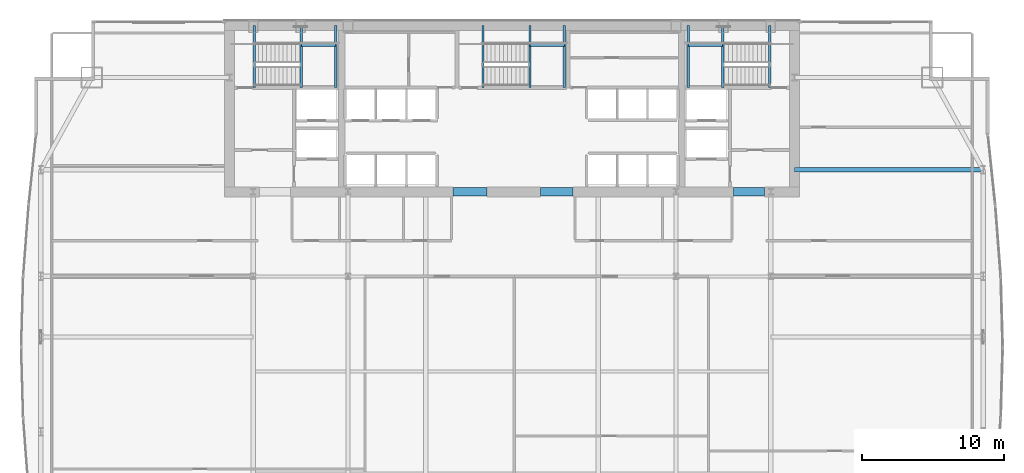
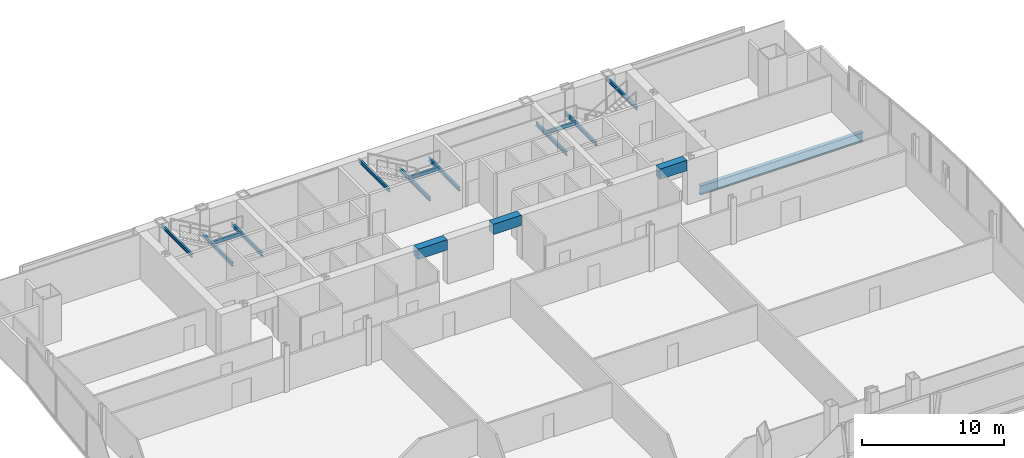
# One storey, part 19 of 30: 16 beams.
"""IFC4 building model written with IfcOpenShell, lengths in metres."""

from ifc_helpers import new_model, si_unit, direction, frame, origin, origin_2d, place, context, subcontext, project, spatial, rectangle, i_section, extrude, material, material_profile, profile_set, type_object, element, save


model = new_model("IFC4")

# Units and contexts
model_context = context("Model", 3, precision=1e-05, world=origin(), true_north=direction((0.0, 1.0)))
body_context = subcontext(model_context, "Body", "Model", "MODEL_VIEW")
ifc_project = project(units=[si_unit("LENGTHUNIT", "METRE"), si_unit("AREAUNIT", "SQUARE_METRE"), si_unit("VOLUMEUNIT", "CUBIC_METRE"), si_unit("PLANEANGLEUNIT", "RADIAN"), si_unit("MASSUNIT", "GRAM", prefix="KILO")], contexts=[model_context])

# Site, building, storey
site_placement = place(None, origin())
site = spatial("IfcSite", under=ifc_project, at=site_placement, CompositionType="ELEMENT")
building_placement = place(site_placement, origin())
building = spatial("IfcBuilding", under=site, at=building_placement, Name="Khoronbel Lancet Exchange", CompositionType="ELEMENT")
storey_placement = place(building_placement, frame((0.0, 0.0, 90.60009765625)))
storey = spatial("IfcBuildingStorey", under=building, at=storey_placement, Name="L21", CompositionType="ELEMENT", Elevation=90.60009765625)

# Beams
ifc_material_1 = material(Name="Steel S355", Category="steel")
ifc_material_profile_1 = material_profile(ifc_material_1, i_section(OverallWidth=0.300048828125, OverallDepth=0.800048828125, WebThickness=0.017578125, FlangeThickness=0.032958984375, at=origin_2d()), Name="HEB 800")
ifc_profile_set_1 = profile_set([ifc_material_profile_1], Name="Steel S355")
beam_type_1 = type_object("IfcBeamType", Name="BM-BG2", PredefinedType="BEAM", material=ifc_profile_set_1)
beam_1_placement = place(storey_placement, frame((56.35009765625, 43.199951171875, -0.580078125), z_axis=(1.0, 0.0, 0.0), x_axis=(0.0, 1.0, 0.0)))
element("IfcBeam", 1, at=beam_1_placement, inside=storey, type_object=beam_type_1, Name="Level L21 east lens tie girder LG3E", PredefinedType="BEAM", context=body_context, shape_type="SweptSolid", body=[
    extrude(i_section(OverallWidth=0.300048828125, OverallDepth=0.800048828125, WebThickness=0.017578125, FlangeThickness=0.032958984375, at=origin_2d()), origin(), (0.0, 0.0, 1.0), 13.27978515625),
])
ifc_material_profile_2 = material_profile(ifc_material_1, i_section(OverallWidth=0.159912109375, OverallDepth=0.330078125, WebThickness=0.007568359375, FlangeThickness=0.011474609375, at=origin_2d()), Name="IPE 330")
ifc_profile_set_2 = profile_set([ifc_material_profile_2], Name="Steel S355")
beam_type_2 = type_object("IfcBeamType", Name="BM-BJ7", PredefinedType="JOIST", material=ifc_profile_set_2)
for number, where, z_axis, x_axis, name in (
    (2, (21.610107421875, 48.97998046875, 1.635009765625), (0.0, 1.0, 0.0), (-1.0, 0.0, 0.0), "Level L21 stair ST1 landing bearer beam 1"),
    (3, (24.030029296875, 48.97998046875, 1.635009765625), (0.0, 1.0, 0.0), (-1.0, 0.0, 0.0), "Level L21 stair ST1 rear landing bearer beam 1"),
):
    element("IfcBeam", number, at=place(storey_placement, frame(where, z_axis=z_axis, x_axis=x_axis)), inside=storey, type_object=beam_type_2, Name=name, PredefinedType="JOIST", context=body_context, shape_type="SweptSolid", body=[
        extrude(i_section(OverallWidth=0.159912109375, OverallDepth=0.330078125, WebThickness=0.007568359375, FlangeThickness=0.011474609375, at=origin_2d()), origin(), (0.0, 0.0, 1.0), 4.3701171875),
    ])
beam_2_placement = place(storey_placement, frame((21.610107421875, 51.97998046875, 1.635009765625), z_axis=(1.0, 0.0, 0.0), x_axis=(0.0, 1.0, 0.0)))
element("IfcBeam", 4, at=beam_2_placement, inside=storey, type_object=beam_type_2, Name="Level L21 stair ST1 landing cross trimmer beam 1", PredefinedType="JOIST", context=body_context, shape_type="SweptSolid", body=[
    extrude(i_section(OverallWidth=0.159912109375, OverallDepth=0.330078125, WebThickness=0.007568359375, FlangeThickness=0.011474609375, at=origin_2d()), origin(), (0.0, 0.0, 1.0), 2.419921875),
])
for number, where, z_axis, x_axis, name in (
    (5, (51.2900390625, 48.97998046875, 1.635009765625), (0.0, 1.0, 0.0), (-1.0, 0.0, 0.0), "Level L21 stair ST2 landing bearer beam 1"),
    (6, (48.8701171875, 48.97998046875, 1.635009765625), (0.0, 1.0, 0.0), (-1.0, 0.0, 0.0), "Level L21 stair ST2 rear landing bearer beam 1"),
):
    element("IfcBeam", number, at=place(storey_placement, frame(where, z_axis=z_axis, x_axis=x_axis)), inside=storey, type_object=beam_type_2, Name=name, PredefinedType="JOIST", context=body_context, shape_type="SweptSolid", body=[
        extrude(i_section(OverallWidth=0.159912109375, OverallDepth=0.330078125, WebThickness=0.007568359375, FlangeThickness=0.011474609375, at=origin_2d()), origin(), (0.0, 0.0, 1.0), 4.3701171875),
    ])
beam_3_placement = place(storey_placement, frame((48.8701171875, 51.97998046875, 1.635009765625), z_axis=(1.0, 0.0, 0.0), x_axis=(0.0, 1.0, 0.0)))
element("IfcBeam", 7, at=beam_3_placement, inside=storey, type_object=beam_type_2, Name="Level L21 stair ST2 landing cross trimmer beam 1", PredefinedType="JOIST", context=body_context, shape_type="SweptSolid", body=[
    extrude(i_section(OverallWidth=0.159912109375, OverallDepth=0.330078125, WebThickness=0.007568359375, FlangeThickness=0.011474609375, at=origin_2d()), origin(), (0.0, 0.0, 1.0), 2.419921875),
])
for number, where, z_axis, x_axis, name in (
    (8, (37.7099609375, 48.97998046875, 1.635009765625), (0.0, 1.0, 0.0), (-1.0, 0.0, 0.0), "Level L21 stair ST3 landing bearer beam 1"),
    (9, (40.1298828125, 48.97998046875, 1.635009765625), (0.0, 1.0, 0.0), (-1.0, 0.0, 0.0), "Level L21 stair ST3 rear landing bearer beam 1"),
):
    element("IfcBeam", number, at=place(storey_placement, frame(where, z_axis=z_axis, x_axis=x_axis)), inside=storey, type_object=beam_type_2, Name=name, PredefinedType="JOIST", context=body_context, shape_type="SweptSolid", body=[
        extrude(i_section(OverallWidth=0.159912109375, OverallDepth=0.330078125, WebThickness=0.007568359375, FlangeThickness=0.011474609375, at=origin_2d()), origin(), (0.0, 0.0, 1.0), 4.3701171875),
    ])
beam_4_placement = place(storey_placement, frame((37.7099609375, 51.97998046875, 1.635009765625), z_axis=(1.0, 0.0, 0.0), x_axis=(0.0, 1.0, 0.0)))
element("IfcBeam", 10, at=beam_4_placement, inside=storey, type_object=beam_type_2, Name="Level L21 stair ST3 landing cross trimmer beam 1", PredefinedType="JOIST", context=body_context, shape_type="SweptSolid", body=[
    extrude(i_section(OverallWidth=0.159912109375, OverallDepth=0.330078125, WebThickness=0.007568359375, FlangeThickness=0.011474609375, at=origin_2d()), origin(), (0.0, 0.0, 1.0), 2.419921875),
])
ifc_material_profile_3 = material_profile(ifc_material_1, i_section(OverallWidth=0.14990234375, OverallDepth=0.300048828125, WebThickness=0.007080078125, FlangeThickness=0.0107421875, at=origin_2d()), Name="IPE 300")
ifc_profile_set_3 = profile_set([ifc_material_profile_3], Name="Steel S355")
beam_type_3 = type_object("IfcBeamType", Name="BM-BJ8", PredefinedType="JOIST", material=ifc_profile_set_3)
for number, where, z_axis, x_axis, name in (
    (11, (18.300048828125, 48.97998046875, 3.539794921875), (0.0, 1.0, 0.0), (-1.0, 0.0, 0.0), "Level L21 stair ST1 upper-flight arrival trimmer beam"),
    (12, (54.60009765625, 48.97998046875, 3.539794921875), (0.0, 1.0, 0.0), (-1.0, 0.0, 0.0), "Level L21 stair ST2 upper-flight arrival trimmer beam"),
    (13, (34.39990234375, 48.97998046875, 3.539794921875), (0.0, 1.0, 0.0), (-1.0, 0.0, 0.0), "Level L21 stair ST3 upper-flight arrival trimmer beam"),
):
    element("IfcBeam", number, at=place(storey_placement, frame(where, z_axis=z_axis, x_axis=x_axis)), inside=storey, type_object=beam_type_3, Name=name, PredefinedType="JOIST", context=body_context, shape_type="SweptSolid", body=[
        extrude(i_section(OverallWidth=0.14990234375, OverallDepth=0.300048828125, WebThickness=0.007080078125, FlangeThickness=0.0107421875, at=origin_2d()), origin(), (0.0, 0.0, 1.0), 4.3701171875),
    ])
ifc_material_2 = material(Name="Concrete C80/95", Category="concrete")
ifc_material_profile_4 = material_profile(ifc_material_2, rectangle(XDim=0.60009765625, YDim=0.89990234375, at=origin_2d()), Name="RC 600x900")
ifc_profile_set_4 = profile_set([ifc_material_profile_4], Name="Concrete C80/95")
beam_type_4 = type_object("IfcBeamType", Name="BM-BL1", PredefinedType="LINTEL", material=ifc_profile_set_4)
beam_5_placement = place(storey_placement, frame((32.300048828125, 41.64990234375, 3.369873046875), z_axis=(1.0, 0.0, 0.0), x_axis=(0.0, 1.0, 0.0)))
element("IfcBeam", 14, at=beam_5_placement, inside=storey, type_object=beam_type_4, Name="Level L21 rear core coupling lintel L2", PredefinedType="LINTEL", context=body_context, shape_type="SweptSolid", body=[
    extrude(rectangle(XDim=0.60009765625, YDim=0.89990234375, at=origin_2d()), origin(), (0.0, 0.0, 1.0), 2.39990234375),
])
beam_6_placement = place(storey_placement, frame((38.449951171875, 41.64990234375, 3.369873046875), z_axis=(1.0, 0.0, 0.0), x_axis=(0.0, 1.0, 0.0)))
element("IfcBeam", 15, at=beam_6_placement, inside=storey, type_object=beam_type_4, Name="Level L21 rear core coupling lintel L3", PredefinedType="LINTEL", context=body_context, shape_type="SweptSolid", body=[
    extrude(rectangle(XDim=0.60009765625, YDim=0.89990234375, at=origin_2d()), origin(), (0.0, 0.0, 1.0), 2.300048828125),
])
beam_7_placement = place(storey_placement, frame((52.050048828125, 41.64990234375, 3.369873046875), z_axis=(1.0, 0.0, 0.0), x_axis=(0.0, 1.0, 0.0)))
element("IfcBeam", 16, at=beam_7_placement, inside=storey, type_object=beam_type_4, Name="Level L21 rear core coupling lintel L4", PredefinedType="LINTEL", context=body_context, shape_type="SweptSolid", body=[
    extrude(rectangle(XDim=0.60009765625, YDim=0.89990234375, at=origin_2d()), origin(), (0.0, 0.0, 1.0), 2.199951171875),
])

save(model, "model.ifc")
